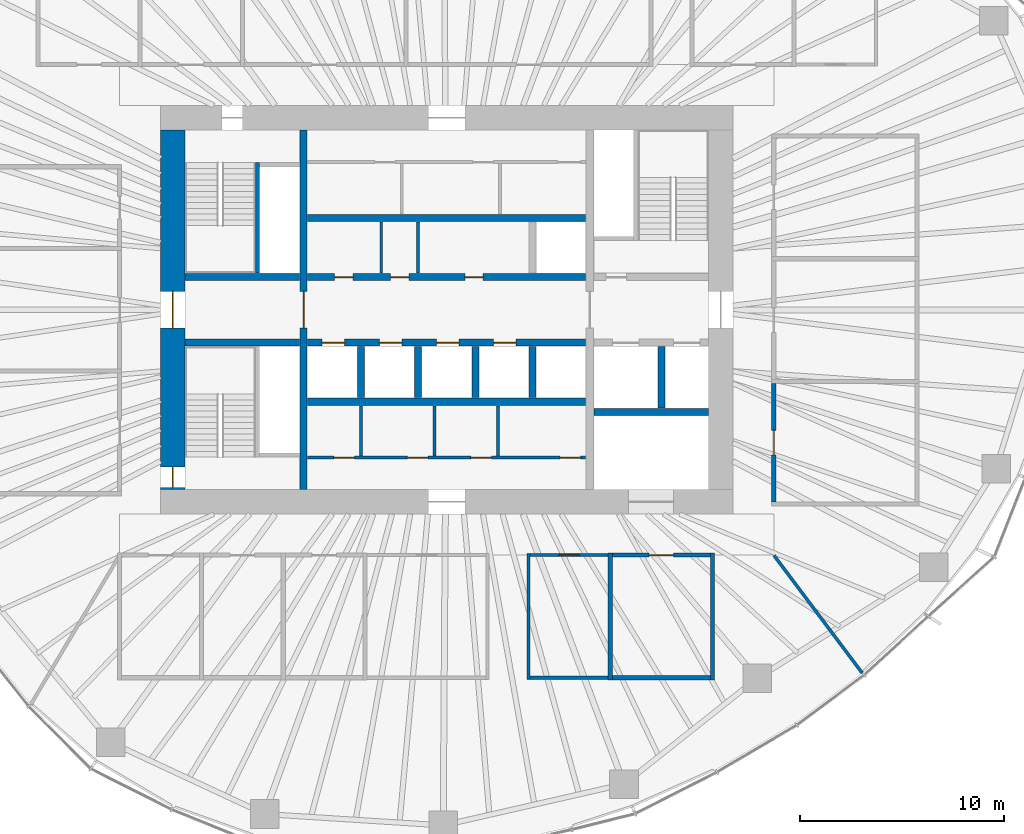
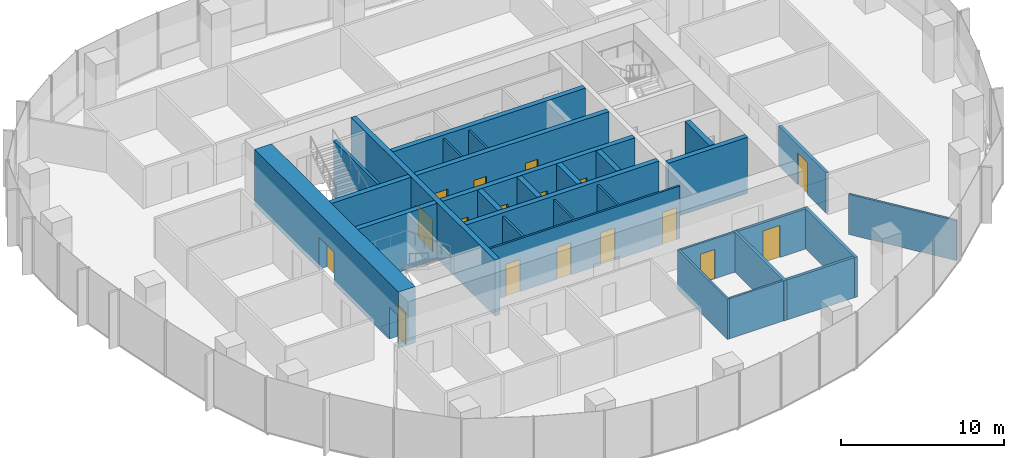
# One storey, part 9 of 18: 30 walls, 17 doors, 17 openings.
"""IFC4 building model written with IfcOpenShell, lengths in metres."""

from ifc_helpers import new_model, si_unit, direction, frame, frame_2d, origin, place, context, subcontext, project, spatial, rectangle, extrude, material, layer, layer_set, type_object, element, fill, save


model = new_model("IFC4")

# Units and contexts
model_context = context("Model", 3, precision=1e-05, world=origin(), true_north=direction((0.0, 1.0)))
body_context = subcontext(model_context, "Body", "Model", "MODEL_VIEW")
ifc_project = project(units=[si_unit("LENGTHUNIT", "METRE"), si_unit("AREAUNIT", "SQUARE_METRE"), si_unit("VOLUMEUNIT", "CUBIC_METRE"), si_unit("PLANEANGLEUNIT", "RADIAN"), si_unit("MASSUNIT", "GRAM", prefix="KILO")], contexts=[model_context])

# Site, building, storey
site_placement = place(None, origin())
site = spatial("IfcSite", under=ifc_project, at=site_placement, CompositionType="ELEMENT")
building_placement = place(site_placement, origin())
building = spatial("IfcBuilding", under=site, at=building_placement, Name="Ghaith Harvest Tower", CompositionType="ELEMENT")
storey_placement = place(building_placement, frame((0.0, 0.0, 176.39990234375)))
storey = spatial("IfcBuildingStorey", under=building, at=storey_placement, Name="L38", CompositionType="ELEMENT", Elevation=176.39990234375)

# Wall, opening, door
ifc_material_1 = material(Name="Twin-stud gypsum board, acoustic", Category="gypsum")
ifc_layer_1 = layer(ifc_material_1, 0.199951171875)
ifc_layer_set_1 = layer_set([ifc_layer_1], Name="ACOUSTIC PARTITION 200")
wall_type_1 = type_object("IfcWallType", Name="ACOUSTIC PARTITION 200", PredefinedType="PARTITIONING", material=ifc_layer_set_1)
wall_1_placement = place(storey_placement, frame((16.0, -9.39990234375, 0.0), z_axis=(0.0, 0.0, 1.0), x_axis=(0.0, 1.0, 0.0)))
wall_1 = element("IfcWall", 1, at=wall_1_placement, inside=storey, type_object=wall_type_1, Name="Partition L38-05", PredefinedType="PARTITIONING", context=body_context, shape_type="SweptSolid", body=[
    extrude(rectangle(XDim=5.7998046875, YDim=0.199951171875, at=frame_2d((2.89990234375, 0.0))), origin(), (0.0, 0.0, 1.0), 3.0),
])
opening_1_placement = place(wall_1_placement, frame((2.300048828125, 0.0, 0.0)))
opening_1 = element("IfcOpeningElement", 2, at=opening_1_placement, cuts=wall_1, Name="Opening 38-031", PredefinedType="OPENING", context=body_context, shape_type="SweptSolid", body=[
    extrude(rectangle(XDim=1.199951171875, YDim=2.39990234375, at=frame_2d((0.60009765625, 1.199951171875))), frame((0.0, 0.10986328125, 0.0), z_axis=(0.0, -1.0, 0.0), x_axis=(1.0, 0.0, 0.0)), (0.0, 0.0, 1.0), 0.219970703125),
])
ifc_material_2 = material(Name="Timber door", Category="wood")
door_type_1 = type_object("IfcDoorType", Name="D11 GLAZED 1200x2400", OperationType="SINGLE_SWING_LEFT", PredefinedType="DOOR", material=ifc_material_2)
door_1_placement = place(opening_1_placement, origin())
door_1 = element("IfcDoor", 3, at=door_1_placement, inside=storey, type_object=door_type_1, Name="Meeting room door", OperationType="SINGLE_SWING_LEFT", OverallHeight=2.39990234375, OverallWidth=1.199951171875, PredefinedType="DOOR", context=body_context, shape_type="SweptSolid", body=[
    extrude(rectangle(XDim=1.199951171875, YDim=2.39990234375, at=frame_2d((0.60009765625, 1.199951171875))), frame((0.0, 0.02490234375, 0.0), z_axis=(0.0, -1.0, 0.0), x_axis=(1.0, 0.0, 0.0)), (0.0, 0.0, 1.0), 0.050048828125),
])
fill(opening_1, door_1)

# Walls
for number, where, z_axis, x_axis, name in (
    (4, (8.0, -11.89990234375, 0.0), (0.0, 0.0, 1.0), (0.0, -1.0, 0.0), "Partition L38 row S4 cross wall 2"),
    (5, (13.0, -11.89990234375, 0.0), (0.0, 0.0, 1.0), (0.0, -1.0, 0.0), "Partition L38 row S4 cross wall 3"),
):
    element("IfcWall", number, at=place(storey_placement, frame(where, z_axis=z_axis, x_axis=x_axis)), inside=storey, type_object=wall_type_1, Name=name, PredefinedType="PARTITIONING", context=body_context, shape_type="SweptSolid", body=[
        extrude(rectangle(XDim=6.2001953125, YDim=0.199951171875, at=frame_2d((3.10009765625, 0.0))), origin(), (0.0, 0.0, 1.0), 3.0),
    ])

# Wall, opening, door
wall_2_placement = place(storey_placement, frame((8.10009765625, -12.0, 0.0), z_axis=(0.0, 0.0, 1.0), x_axis=(1.0, 0.0, 0.0)))
wall_2 = element("IfcWall", 6, at=wall_2_placement, inside=storey, type_object=wall_type_1, Name="Partition L38-13", PredefinedType="PARTITIONING", context=body_context, shape_type="SweptSolid", body=[
    extrude(rectangle(XDim=4.7998046875, YDim=0.199951171875, at=frame_2d((2.39990234375, 0.0))), origin(), (0.0, 0.0, 1.0), 3.0),
])
opening_2_placement = place(wall_2_placement, frame((1.800048828125, 0.0, 0.0)))
opening_2 = element("IfcOpeningElement", 7, at=opening_2_placement, cuts=wall_2, Name="Opening 38-039", PredefinedType="OPENING", context=body_context, shape_type="SweptSolid", body=[
    extrude(rectangle(XDim=1.199951171875, YDim=2.39990234375, at=frame_2d((0.60009765625, 1.199951171875))), frame((0.0, 0.10986328125, 0.0), z_axis=(0.0, -1.0, 0.0), x_axis=(1.0, 0.0, 0.0)), (0.0, 0.0, 1.0), 0.219970703125),
])
door_2_placement = place(opening_2_placement, origin())
door_2 = element("IfcDoor", 8, at=door_2_placement, inside=storey, type_object=door_type_1, Name="Meeting room door", OperationType="SINGLE_SWING_LEFT", OverallHeight=2.39990234375, OverallWidth=1.199951171875, PredefinedType="DOOR", context=body_context, shape_type="SweptSolid", body=[
    extrude(rectangle(XDim=1.199951171875, YDim=2.39990234375, at=frame_2d((0.60009765625, 1.199951171875))), frame((0.0, 0.02490234375, 0.0), z_axis=(0.0, -1.0, 0.0), x_axis=(1.0, 0.0, 0.0)), (0.0, 0.0, 1.0), 0.050048828125),
])
fill(opening_2, door_2)

# Wall
wall_3_placement = place(storey_placement, frame((8.10009765625, -18.0, 0.0), z_axis=(0.0, 0.0, 1.0), x_axis=(1.0, 0.0, 0.0)))
element("IfcWall", 9, at=wall_3_placement, inside=storey, type_object=wall_type_1, Name="Partition L38-13", PredefinedType="PARTITIONING", context=body_context, shape_type="SweptSolid", body=[
    extrude(rectangle(XDim=4.7998046875, YDim=0.199951171875, at=frame_2d((2.39990234375, 0.0))), origin(), (0.0, 0.0, 1.0), 3.0),
])

# Wall, openings, doors
ifc_material_3 = material(Name="Concrete blockwork, fair-faced", Category="masonry")
ifc_layer_2 = layer(ifc_material_3, 0.139892578125)
ifc_layer_set_2 = layer_set([ifc_layer_2], Name="CORE PARTITION 140")
wall_type_2 = type_object("IfcWallType", Name="CORE PARTITION 140", PredefinedType="PARTITIONING", material=ifc_layer_set_2)
wall_4_placement = place(storey_placement, frame((-6.800048828125, -7.22998046875, 0.0), z_axis=(0.0, 0.0, 1.0), x_axis=(1.0, 0.0, 0.0)))
wall_4 = element("IfcWall", 10, at=wall_4_placement, inside=storey, type_object=wall_type_2, Name="Core partition L38", PredefinedType="PARTITIONING", context=body_context, shape_type="SweptSolid", body=[
    extrude(rectangle(XDim=13.60009765625, YDim=0.139892578125, at=frame_2d((6.800048828125, 0.0))), origin(), (0.0, 0.0, 1.0), 3.9501953125),
])
opening_3_placement = place(wall_4_placement, frame((1.280029296875, 0.0, 0.0)))
opening_3 = element("IfcOpeningElement", 11, at=opening_3_placement, cuts=wall_4, Name="Opening 38-011", PredefinedType="OPENING", context=body_context, shape_type="SweptSolid", body=[
    extrude(rectangle(XDim=1.0, YDim=2.39990234375, at=frame_2d((0.5, 1.199951171875))), frame((0.0, 0.080078125, 0.0), z_axis=(0.0, -1.0, 0.0), x_axis=(1.0, 0.0, 0.0)), (0.0, 0.0, 1.0), 0.159912109375),
])
opening_4_placement = place(wall_4_placement, frame((4.8798828125, 0.0, 0.0)))
opening_4 = element("IfcOpeningElement", 12, at=opening_4_placement, cuts=wall_4, Name="Opening 38-012", PredefinedType="OPENING", context=body_context, shape_type="SweptSolid", body=[
    extrude(rectangle(XDim=1.0, YDim=2.39990234375, at=frame_2d((0.5, 1.199951171875))), frame((0.0, 0.080078125, 0.0), z_axis=(0.0, -1.0, 0.0), x_axis=(1.0, 0.0, 0.0)), (0.0, 0.0, 1.0), 0.159912109375),
])
opening_5_placement = place(wall_4_placement, frame((7.97998046875, 0.0, 0.0)))
opening_5 = element("IfcOpeningElement", 13, at=opening_5_placement, cuts=wall_4, Name="Opening 38-013", PredefinedType="OPENING", context=body_context, shape_type="SweptSolid", body=[
    extrude(rectangle(XDim=1.0, YDim=2.39990234375, at=frame_2d((0.5, 1.199951171875))), frame((0.0, 0.080078125, 0.0), z_axis=(0.0, -1.0, 0.0), x_axis=(1.0, 0.0, 0.0)), (0.0, 0.0, 1.0), 0.159912109375),
])
opening_6_placement = place(wall_4_placement, frame((12.35009765625, 0.0, 0.0)))
opening_6 = element("IfcOpeningElement", 14, at=opening_6_placement, cuts=wall_4, Name="Opening 38-014", PredefinedType="OPENING", context=body_context, shape_type="SweptSolid", body=[
    extrude(rectangle(XDim=1.0, YDim=2.39990234375, at=frame_2d((0.5, 1.199951171875))), frame((0.0, 0.080078125, 0.0), z_axis=(0.0, -1.0, 0.0), x_axis=(1.0, 0.0, 0.0)), (0.0, 0.0, 1.0), 0.159912109375),
])
ifc_material_4 = material(Name="Steel fire door", Category="steel")
door_type_2 = type_object("IfcDoorType", Name="D3 FD90 1000x2400", OperationType="SINGLE_SWING_LEFT", PredefinedType="DOOR", material=ifc_material_4)
door_3_placement = place(opening_3_placement, origin())
door_3 = element("IfcDoor", 15, at=door_3_placement, inside=storey, type_object=door_type_2, Name="Security room door", OperationType="SINGLE_SWING_LEFT", OverallHeight=2.39990234375, OverallWidth=1.0, PredefinedType="DOOR", context=body_context, shape_type="SweptSolid", body=[
    extrude(rectangle(XDim=1.0, YDim=2.39990234375, at=frame_2d((0.5, 1.199951171875))), frame((0.0, 0.02490234375, 0.0), z_axis=(0.0, -1.0, 0.0), x_axis=(1.0, 0.0, 0.0)), (0.0, 0.0, 1.0), 0.050048828125),
])
fill(opening_3, door_3)
door_4_placement = place(opening_4_placement, origin())
door_4 = element("IfcDoor", 16, at=door_4_placement, inside=storey, type_object=door_type_2, Name="Electrical room door", OperationType="SINGLE_SWING_LEFT", OverallHeight=2.39990234375, OverallWidth=1.0, PredefinedType="DOOR", context=body_context, shape_type="SweptSolid", body=[
    extrude(rectangle(XDim=1.0, YDim=2.39990234375, at=frame_2d((0.5, 1.199951171875))), frame((0.0, 0.02490234375, 0.0), z_axis=(0.0, -1.0, 0.0), x_axis=(1.0, 0.0, 0.0)), (0.0, 0.0, 1.0), 0.050048828125),
])
fill(opening_4, door_4)
door_5_placement = place(opening_5_placement, origin())
door_5 = element("IfcDoor", 17, at=door_5_placement, inside=storey, type_object=door_type_2, Name="Communications equipment room door", OperationType="SINGLE_SWING_RIGHT", OverallHeight=2.39990234375, OverallWidth=1.0, PredefinedType="DOOR", context=body_context, shape_type="SweptSolid", body=[
    extrude(rectangle(XDim=1.0, YDim=2.39990234375, at=frame_2d((0.5, 1.199951171875))), frame((0.0, 0.02490234375, 0.0), z_axis=(0.0, -1.0, 0.0), x_axis=(1.0, 0.0, 0.0)), (0.0, 0.0, 1.0), 0.050048828125),
])
fill(opening_5, door_5)
door_6_placement = place(opening_6_placement, origin())
door_6 = element("IfcDoor", 18, at=door_6_placement, inside=storey, type_object=door_type_2, Name="Riser room door", OperationType="SINGLE_SWING_RIGHT", OverallHeight=2.39990234375, OverallWidth=1.0, PredefinedType="DOOR", context=body_context, shape_type="SweptSolid", body=[
    extrude(rectangle(XDim=1.0, YDim=2.39990234375, at=frame_2d((0.5, 1.199951171875))), frame((0.0, 0.02490234375, 0.0), z_axis=(0.0, -1.0, 0.0), x_axis=(1.0, 0.0, 0.0)), (0.0, 0.0, 1.0), 0.050048828125),
])
fill(opening_6, door_6)

# Walls
for number, where, z_axis, x_axis, name in (
    (19, (-4.199951171875, -4.699951171875, 0.0), (0.0, 0.0, 1.0), (0.0, -1.0, 0.0), "Core partition L38"),
    (20, (-0.60009765625, -4.699951171875, 0.0), (0.0, 0.0, 1.0), (0.0, -1.0, 0.0), "Core partition L38"),
    (21, (2.5, -4.699951171875, 0.0), (0.0, 0.0, 1.0), (0.0, -1.0, 0.0), "Core partition L38"),
):
    element("IfcWall", number, at=place(storey_placement, frame(where, z_axis=z_axis, x_axis=x_axis)), inside=storey, type_object=wall_type_2, Name=name, PredefinedType="PARTITIONING", context=body_context, shape_type="SweptSolid", body=[
        extrude(rectangle(XDim=2.4599609375, YDim=0.139892578125, at=frame_2d((1.22998046875, 0.0))), origin(), (0.0, 0.0, 1.0), 3.9501953125),
    ])
for number, where, z_axis, x_axis, name in (
    (22, (-3.199951171875, 1.800048828125, 0.0), (0.0, 0.0, 1.0), (0.0, 1.0, 0.0), "Core partition L38"),
    (23, (-1.39990234375, 1.800048828125, 0.0), (0.0, 0.0, 1.0), (0.0, 1.0, 0.0), "Core partition L38"),
):
    element("IfcWall", number, at=place(storey_placement, frame(where, z_axis=z_axis, x_axis=x_axis)), inside=storey, type_object=wall_type_2, Name=name, PredefinedType="PARTITIONING", context=body_context, shape_type="SweptSolid", body=[
        extrude(rectangle(XDim=2.5, YDim=0.139892578125, at=frame_2d((1.25, 0.0))), origin(), (0.0, 0.0, 1.0), 3.9501953125),
    ])

# Wall, openings, doors
ifc_material_5 = material(Name="Concrete C60/75", Category="concrete")
ifc_layer_3 = layer(ifc_material_5, 1.199951171875)
ifc_layer_set_3 = layer_set([ifc_layer_3], Name="CORE WALL CW1200 C60")
wall_type_3 = type_object("IfcWallType", Name="CORE WALL CW1200 C60", PredefinedType="SHEAR", material=ifc_layer_set_3)
wall_5_placement = place(storey_placement, frame((-13.39990234375, 8.800048828125, 0.0), z_axis=(0.0, 0.0, 1.0), x_axis=(0.0, -1.0, 0.0)))
wall_5 = element("IfcWall", 24, at=wall_5_placement, inside=storey, type_object=wall_type_3, Name="Core wall W L38", PredefinedType="SHEAR", context=body_context, shape_type="SweptSolid", body=[
    extrude(rectangle(XDim=17.60009765625, YDim=1.199951171875, at=frame_2d((8.800048828125, 0.0))), origin(), (0.0, 0.0, 1.0), 4.2001953125),
])
opening_7_placement = place(wall_5_placement, frame((7.89990234375, 0.0, 0.0)))
opening_7 = element("IfcOpeningElement", 25, at=opening_7_placement, cuts=wall_5, Name="Opening 38-001", PredefinedType="OPENING", context=body_context, shape_type="SweptSolid", body=[
    extrude(rectangle(XDim=1.800048828125, YDim=2.39990234375, at=frame_2d((0.89990234375, 1.199951171875))), frame((0.0, 0.60986328125, 0.0), z_axis=(0.0, -1.0, 0.0), x_axis=(1.0, 0.0, 0.0)), (0.0, 0.0, 1.0), 1.219970703125),
])
opening_8_placement = place(wall_5_placement, frame((16.5, 0.0, 0.0)))
opening_8 = element("IfcOpeningElement", 26, at=opening_8_placement, cuts=wall_5, Name="Opening 38-006", PredefinedType="OPENING", context=body_context, shape_type="SweptSolid", body=[
    extrude(rectangle(XDim=1.0, YDim=2.39990234375, at=frame_2d((0.5, 1.199951171875))), frame((0.0, 0.60986328125, 0.0), z_axis=(0.0, -1.0, 0.0), x_axis=(1.0, 0.0, 0.0)), (0.0, 0.0, 1.0), 1.219970703125),
])
door_7_placement = place(opening_8_placement, origin())
door_7 = element("IfcDoor", 27, at=door_7_placement, inside=storey, type_object=door_type_2, Name="Stair ST3 door", OperationType="SINGLE_SWING_RIGHT", OverallHeight=2.39990234375, OverallWidth=1.0, PredefinedType="DOOR", context=body_context, shape_type="SweptSolid", body=[
    extrude(rectangle(XDim=1.0, YDim=2.39990234375, at=frame_2d((0.5, 1.199951171875))), frame((0.0, 0.02490234375, 0.0), z_axis=(0.0, -1.0, 0.0), x_axis=(1.0, 0.0, 0.0)), (0.0, 0.0, 1.0), 0.050048828125),
])
fill(opening_8, door_7)
ifc_material_6 = material(Name="Steel fire door", Category="steel")
door_type_3 = type_object("IfcDoorType", Name="D4 FD90 PAIR 1800x2400", OperationType="DOUBLE_DOOR_SINGLE_SWING", PredefinedType="DOOR", material=ifc_material_6)
door_8_placement = place(opening_7_placement, origin())
door_8 = element("IfcDoor", 28, at=door_8_placement, inside=storey, type_object=door_type_3, Name="West lobby doors", OperationType="DOUBLE_DOOR_SINGLE_SWING", OverallHeight=2.39990234375, OverallWidth=1.800048828125, PredefinedType="DOOR", context=body_context, shape_type="SweptSolid", body=[
    extrude(rectangle(XDim=1.800048828125, YDim=2.39990234375, at=frame_2d((0.89990234375, 1.199951171875))), frame((0.0, 0.02490234375, 0.0), z_axis=(0.0, -1.0, 0.0), x_axis=(1.0, 0.0, 0.0)), (0.0, 0.0, 1.0), 0.050048828125),
])
fill(opening_7, door_8)

# Wall
ifc_material_7 = material(Name="Gypsum board on steel studs", Category="steel")
ifc_layer_4 = layer(ifc_material_7, 0.14990234375)
ifc_layer_set_4 = layer_set([ifc_layer_4], Name="PARTITION 150")
wall_type_4 = type_object("IfcWallType", Name="PARTITION 150", PredefinedType="PARTITIONING", material=ifc_layer_set_4)
wall_6_placement = place(storey_placement, frame((4.0, -11.925048828125, 0.0), z_axis=(0.0, 0.0, 1.0), x_axis=(0.0, -1.0, 0.0)))
element("IfcWall", 29, at=wall_6_placement, inside=storey, type_object=wall_type_4, Name="Partition L38 row S4 cross wall 1", PredefinedType="PARTITIONING", context=body_context, shape_type="SweptSolid", body=[
    extrude(rectangle(XDim=6.14990234375, YDim=0.14990234375, at=frame_2d((3.074951171875, 0.0))), origin(), (0.0, 0.0, 1.0), 3.0),
])

# Wall, opening, door
wall_7_placement = place(storey_placement, frame((4.074951171875, -12.0, 0.0), z_axis=(0.0, 0.0, 1.0), x_axis=(1.0, 0.0, 0.0)))
wall_7 = element("IfcWall", 30, at=wall_7_placement, inside=storey, type_object=wall_type_4, Name="Partition L38-12", PredefinedType="PARTITIONING", context=body_context, shape_type="SweptSolid", body=[
    extrude(rectangle(XDim=3.824951171875, YDim=0.14990234375, at=frame_2d((1.91259765625, 0.0))), origin(), (0.0, 0.0, 1.0), 3.0),
])
opening_9_placement = place(wall_7_placement, frame((1.41259765625, 0.0, 0.0)))
opening_9 = element("IfcOpeningElement", 31, at=opening_9_placement, cuts=wall_7, Name="Opening 38-038", PredefinedType="OPENING", context=body_context, shape_type="SweptSolid", body=[
    extrude(rectangle(XDim=1.0, YDim=2.199951171875, at=frame_2d((0.5, 1.10009765625))), frame((0.0, 0.0849609375, 0.0), z_axis=(0.0, -1.0, 0.0), x_axis=(1.0, 0.0, 0.0)), (0.0, 0.0, 1.0), 0.169921875),
])
ifc_material_8 = material(Name="Timber door", Category="wood")
door_type_4 = type_object("IfcDoorType", Name="D1 SINGLE 1000x2200", OperationType="SINGLE_SWING_LEFT", PredefinedType="DOOR", material=ifc_material_8)
door_9_placement = place(opening_9_placement, origin())
door_9 = element("IfcDoor", 32, at=door_9_placement, inside=storey, type_object=door_type_4, Name="Store door", OperationType="SINGLE_SWING_LEFT", OverallHeight=2.199951171875, OverallWidth=1.0, PredefinedType="DOOR", context=body_context, shape_type="SweptSolid", body=[
    extrude(rectangle(XDim=1.0, YDim=2.199951171875, at=frame_2d((0.5, 1.10009765625))), frame((0.0, 0.02490234375, 0.0), z_axis=(0.0, -1.0, 0.0), x_axis=(1.0, 0.0, 0.0)), (0.0, 0.0, 1.0), 0.050048828125),
])
fill(opening_9, door_9)

# Walls
wall_8_placement = place(storey_placement, frame((4.074951171875, -18.0, 0.0), z_axis=(0.0, 0.0, 1.0), x_axis=(1.0, 0.0, 0.0)))
element("IfcWall", 33, at=wall_8_placement, inside=storey, type_object=wall_type_4, Name="Partition L38-12", PredefinedType="PARTITIONING", context=body_context, shape_type="SweptSolid", body=[
    extrude(rectangle(XDim=3.824951171875, YDim=0.14990234375, at=frame_2d((1.91259765625, 0.0))), origin(), (0.0, 0.0, 1.0), 3.0),
])
wall_9_placement = place(storey_placement, frame((16.011962890625, -12.01611328125, 0.0), z_axis=(0.0, 0.0, 1.0), x_axis=(0.600059749679, -0.799955184254, 0.0)))
element("IfcWall", 34, at=wall_9_placement, inside=storey, type_object=wall_type_4, Name="Partition L38 zone division", PredefinedType="PARTITIONING", context=body_context, shape_type="SweptSolid", body=[
    extrude(rectangle(XDim=7.191162109375, YDim=0.14990234375, at=frame_2d((3.595703125, 0.0))), origin(), (0.0, 0.0, 1.0), 3.0),
])

# Wall, opening, door
ifc_material_9 = material(Name="Concrete C60/75", Category="concrete")
ifc_layer_5 = layer(ifc_material_9, 0.35009765625)
ifc_layer_set_5 = layer_set([ifc_layer_5], Name="SHAFT WALL 350")
wall_type_5 = type_object("IfcWallType", Name="SHAFT WALL 350", PredefinedType="SHEAR", material=ifc_layer_set_5)
wall_10_placement = place(storey_placement, frame((-7.0, -8.800048828125, 0.0), z_axis=(0.0, 0.0, 1.0), x_axis=(0.0, 1.0, 0.0)))
wall_10 = element("IfcWall", 35, at=wall_10_placement, inside=storey, type_object=wall_type_5, Name="Shaft wall W7W L38", PredefinedType="SHEAR", context=body_context, shape_type="SweptSolid", body=[
    extrude(rectangle(XDim=17.60009765625, YDim=0.35009765625, at=frame_2d((8.800048828125, 0.0))), origin(), (0.0, 0.0, 1.0), 4.2001953125),
])
opening_10_placement = place(wall_10_placement, frame((7.89990234375, 0.0, 0.0)))
opening_10 = element("IfcOpeningElement", 36, at=opening_10_placement, cuts=wall_10, Name="Opening 38-003", PredefinedType="OPENING", context=body_context, shape_type="SweptSolid", body=[
    extrude(rectangle(XDim=1.800048828125, YDim=2.39990234375, at=frame_2d((0.89990234375, 1.199951171875))), frame((0.0, 0.18505859375, 0.0), z_axis=(0.0, -1.0, 0.0), x_axis=(1.0, 0.0, 0.0)), (0.0, 0.0, 1.0), 0.3701171875),
])
door_10_placement = place(opening_10_placement, origin())
door_10 = element("IfcDoor", 37, at=door_10_placement, inside=storey, type_object=door_type_3, Name="Lift lobby doors, west", OperationType="DOUBLE_DOOR_SINGLE_SWING", OverallHeight=2.39990234375, OverallWidth=1.800048828125, PredefinedType="DOOR", context=body_context, shape_type="SweptSolid", body=[
    extrude(rectangle(XDim=1.800048828125, YDim=2.39990234375, at=frame_2d((0.89990234375, 1.199951171875))), frame((0.0, 0.02490234375, 0.0), z_axis=(0.0, -1.0, 0.0), x_axis=(1.0, 0.0, 0.0)), (0.0, 0.0, 1.0), 0.050048828125),
])
fill(opening_10, door_10)

# Wall, openings, doors
wall_11_placement = place(storey_placement, frame((-6.800048828125, 1.60009765625, 0.0), z_axis=(0.0, 0.0, 1.0), x_axis=(1.0, 0.0, 0.0)))
wall_11 = element("IfcWall", 38, at=wall_11_placement, inside=storey, type_object=wall_type_5, Name="Shaft wall LN L38", PredefinedType="SHEAR", context=body_context, shape_type="SweptSolid", body=[
    extrude(rectangle(XDim=13.60009765625, YDim=0.35009765625, at=frame_2d((6.800048828125, 0.0))), origin(), (0.0, 0.0, 1.0), 4.2001953125),
])
opening_11_placement = place(wall_11_placement, frame((1.31494140625, 0.0, 0.0)))
opening_11 = element("IfcOpeningElement", 39, at=opening_11_placement, cuts=wall_11, Name="Opening 38-015", PredefinedType="OPENING", context=body_context, shape_type="SweptSolid", body=[
    extrude(rectangle(XDim=0.89990234375, YDim=2.39990234375, at=frame_2d((0.449951171875, 1.199951171875))), frame((0.0, 0.18505859375, 0.0), z_axis=(0.0, -1.0, 0.0), x_axis=(1.0, 0.0, 0.0)), (0.0, 0.0, 1.0), 0.3701171875),
])
opening_12_placement = place(wall_11_placement, frame((4.050048828125, 0.0, 0.0)))
opening_12 = element("IfcOpeningElement", 40, at=opening_12_placement, cuts=wall_11, Name="Opening 38-016", PredefinedType="OPENING", context=body_context, shape_type="SweptSolid", body=[
    extrude(rectangle(XDim=0.89990234375, YDim=2.39990234375, at=frame_2d((0.449951171875, 1.199951171875))), frame((0.0, 0.18505859375, 0.0), z_axis=(0.0, -1.0, 0.0), x_axis=(1.0, 0.0, 0.0)), (0.0, 0.0, 1.0), 0.3701171875),
])
opening_13_placement = place(wall_11_placement, frame((7.68505859375, 0.0, 0.0)))
opening_13 = element("IfcOpeningElement", 41, at=opening_13_placement, cuts=wall_11, Name="Opening 38-017", PredefinedType="OPENING", context=body_context, shape_type="SweptSolid", body=[
    extrude(rectangle(XDim=0.89990234375, YDim=2.39990234375, at=frame_2d((0.449951171875, 1.199951171875))), frame((0.0, 0.18505859375, 0.0), z_axis=(0.0, -1.0, 0.0), x_axis=(1.0, 0.0, 0.0)), (0.0, 0.0, 1.0), 0.3701171875),
])
ifc_material_10 = material(Name="Steel fire door", Category="steel")
door_type_5 = type_object("IfcDoorType", Name="D5 FD90 900x2400", OperationType="SINGLE_SWING_LEFT", PredefinedType="DOOR", material=ifc_material_10)
door_11_placement = place(opening_11_placement, origin())
door_11 = element("IfcDoor", 42, at=door_11_placement, inside=storey, type_object=door_type_5, Name="Lobby store door", OperationType="SINGLE_SWING_LEFT", OverallHeight=2.39990234375, OverallWidth=0.89990234375, PredefinedType="DOOR", context=body_context, shape_type="SweptSolid", body=[
    extrude(rectangle(XDim=0.89990234375, YDim=2.39990234375, at=frame_2d((0.449951171875, 1.199951171875))), frame((0.0, 0.02490234375, 0.0), z_axis=(0.0, -1.0, 0.0), x_axis=(1.0, 0.0, 0.0)), (0.0, 0.0, 1.0), 0.050048828125),
])
fill(opening_11, door_11)
door_12_placement = place(opening_12_placement, origin())
door_12 = element("IfcDoor", 43, at=door_12_placement, inside=storey, type_object=door_type_5, Name="Lobby store door", OperationType="SINGLE_SWING_LEFT", OverallHeight=2.39990234375, OverallWidth=0.89990234375, PredefinedType="DOOR", context=body_context, shape_type="SweptSolid", body=[
    extrude(rectangle(XDim=0.89990234375, YDim=2.39990234375, at=frame_2d((0.449951171875, 1.199951171875))), frame((0.0, 0.02490234375, 0.0), z_axis=(0.0, -1.0, 0.0), x_axis=(1.0, 0.0, 0.0)), (0.0, 0.0, 1.0), 0.050048828125),
])
fill(opening_12, door_12)
door_13_placement = place(opening_13_placement, origin())
door_13 = element("IfcDoor", 44, at=door_13_placement, inside=storey, type_object=door_type_5, Name="Lobby store door", OperationType="SINGLE_SWING_RIGHT", OverallHeight=2.39990234375, OverallWidth=0.89990234375, PredefinedType="DOOR", context=body_context, shape_type="SweptSolid", body=[
    extrude(rectangle(XDim=0.89990234375, YDim=2.39990234375, at=frame_2d((0.449951171875, 1.199951171875))), frame((0.0, 0.02490234375, 0.0), z_axis=(0.0, -1.0, 0.0), x_axis=(1.0, 0.0, 0.0)), (0.0, 0.0, 1.0), 0.050048828125),
])
fill(opening_13, door_13)

wall_12_placement = place(storey_placement, frame((-6.800048828125, -1.60009765625, 0.0), z_axis=(0.0, 0.0, 1.0), x_axis=(1.0, 0.0, 0.0)))
wall_12 = element("IfcWall", 45, at=wall_12_placement, inside=storey, type_object=wall_type_5, Name="Shaft wall LS L38", PredefinedType="SHEAR", context=body_context, shape_type="SweptSolid", body=[
    extrude(rectangle(XDim=13.60009765625, YDim=0.35009765625, at=frame_2d((6.800048828125, 0.0))), origin(), (0.0, 0.0, 1.0), 4.2001953125),
])
opening_14_placement = place(wall_12_placement, frame((0.699951171875, 0.0, 0.0)))
opening_14 = element("IfcOpeningElement", 46, at=opening_14_placement, cuts=wall_12, Name="Opening 38-020", PredefinedType="OPENING", context=body_context, shape_type="SweptSolid", body=[
    extrude(rectangle(XDim=1.10009765625, YDim=2.39990234375, at=frame_2d((0.550048828125, 1.199951171875))), frame((0.0, 0.18505859375, 0.0), z_axis=(0.0, -1.0, 0.0), x_axis=(1.0, 0.0, 0.0)), (0.0, 0.0, 1.0), 0.3701171875),
])
opening_15_placement = place(wall_12_placement, frame((3.5, 0.0, 0.0)))
opening_15 = element("IfcOpeningElement", 47, at=opening_15_placement, cuts=wall_12, Name="Opening 38-021", PredefinedType="OPENING", context=body_context, shape_type="SweptSolid", body=[
    extrude(rectangle(XDim=1.10009765625, YDim=2.39990234375, at=frame_2d((0.550048828125, 1.199951171875))), frame((0.0, 0.18505859375, 0.0), z_axis=(0.0, -1.0, 0.0), x_axis=(1.0, 0.0, 0.0)), (0.0, 0.0, 1.0), 0.3701171875),
])
opening_16_placement = place(wall_12_placement, frame((6.300048828125, 0.0, 0.0)))
opening_16 = element("IfcOpeningElement", 48, at=opening_16_placement, cuts=wall_12, Name="Opening 38-022", PredefinedType="OPENING", context=body_context, shape_type="SweptSolid", body=[
    extrude(rectangle(XDim=1.10009765625, YDim=2.39990234375, at=frame_2d((0.550048828125, 1.199951171875))), frame((0.0, 0.18505859375, 0.0), z_axis=(0.0, -1.0, 0.0), x_axis=(1.0, 0.0, 0.0)), (0.0, 0.0, 1.0), 0.3701171875),
])
opening_17_placement = place(wall_12_placement, frame((9.10009765625, 0.0, 0.0)))
opening_17 = element("IfcOpeningElement", 49, at=opening_17_placement, cuts=wall_12, Name="Opening 38-023", PredefinedType="OPENING", context=body_context, shape_type="SweptSolid", body=[
    extrude(rectangle(XDim=1.10009765625, YDim=2.39990234375, at=frame_2d((0.550048828125, 1.199951171875))), frame((0.0, 0.18505859375, 0.0), z_axis=(0.0, -1.0, 0.0), x_axis=(1.0, 0.0, 0.0)), (0.0, 0.0, 1.0), 0.3701171875),
])
ifc_material_11 = material(Name="Steel fire door", Category="steel")
door_type_6 = type_object("IfcDoorType", Name="LD1 LANDING 1100x2400", OperationType="DOUBLE_DOOR_SLIDING", PredefinedType="DOOR", material=ifc_material_11)
door_14_placement = place(opening_14_placement, origin())
door_14 = element("IfcDoor", 50, at=door_14_placement, inside=storey, type_object=door_type_6, Name="Landing door, lift LR1", OperationType="DOUBLE_DOOR_SLIDING", OverallHeight=2.39990234375, OverallWidth=1.10009765625, PredefinedType="DOOR", context=body_context, shape_type="SweptSolid", body=[
    extrude(rectangle(XDim=1.10009765625, YDim=2.39990234375, at=frame_2d((0.550048828125, 1.199951171875))), frame((0.0, 0.02490234375, 0.0), z_axis=(0.0, -1.0, 0.0), x_axis=(1.0, 0.0, 0.0)), (0.0, 0.0, 1.0), 0.050048828125),
])
fill(opening_14, door_14)
door_15_placement = place(opening_15_placement, origin())
door_15 = element("IfcDoor", 51, at=door_15_placement, inside=storey, type_object=door_type_6, Name="Landing door, lift LR2", OperationType="DOUBLE_DOOR_SLIDING", OverallHeight=2.39990234375, OverallWidth=1.10009765625, PredefinedType="DOOR", context=body_context, shape_type="SweptSolid", body=[
    extrude(rectangle(XDim=1.10009765625, YDim=2.39990234375, at=frame_2d((0.550048828125, 1.199951171875))), frame((0.0, 0.02490234375, 0.0), z_axis=(0.0, -1.0, 0.0), x_axis=(1.0, 0.0, 0.0)), (0.0, 0.0, 1.0), 0.050048828125),
])
fill(opening_15, door_15)
door_16_placement = place(opening_16_placement, origin())
door_16 = element("IfcDoor", 52, at=door_16_placement, inside=storey, type_object=door_type_6, Name="Landing door, lift LR3", OperationType="DOUBLE_DOOR_SLIDING", OverallHeight=2.39990234375, OverallWidth=1.10009765625, PredefinedType="DOOR", context=body_context, shape_type="SweptSolid", body=[
    extrude(rectangle(XDim=1.10009765625, YDim=2.39990234375, at=frame_2d((0.550048828125, 1.199951171875))), frame((0.0, 0.02490234375, 0.0), z_axis=(0.0, -1.0, 0.0), x_axis=(1.0, 0.0, 0.0)), (0.0, 0.0, 1.0), 0.050048828125),
])
fill(opening_16, door_16)
door_17_placement = place(opening_17_placement, origin())
door_17 = element("IfcDoor", 53, at=door_17_placement, inside=storey, type_object=door_type_6, Name="Landing door, lift LR4", OperationType="DOUBLE_DOOR_SLIDING", OverallHeight=2.39990234375, OverallWidth=1.10009765625, PredefinedType="DOOR", context=body_context, shape_type="SweptSolid", body=[
    extrude(rectangle(XDim=1.10009765625, YDim=2.39990234375, at=frame_2d((0.550048828125, 1.199951171875))), frame((0.0, 0.02490234375, 0.0), z_axis=(0.0, -1.0, 0.0), x_axis=(1.0, 0.0, 0.0)), (0.0, 0.0, 1.0), 0.050048828125),
])
fill(opening_17, door_17)

# Walls
for number, where, z_axis, x_axis, name in (
    (54, (-6.800048828125, 4.5, 0.0), (0.0, 0.0, 1.0), (1.0, 0.0, 0.0), "Shaft wall BN L38"),
    (55, (-6.800048828125, -4.5, 0.0), (0.0, 0.0, 1.0), (1.0, 0.0, 0.0), "Shaft wall BS L38"),
):
    element("IfcWall", number, at=place(storey_placement, frame(where, z_axis=z_axis, x_axis=x_axis)), inside=storey, type_object=wall_type_5, Name=name, PredefinedType="SHEAR", context=body_context, shape_type="SweptSolid", body=[
        extrude(rectangle(XDim=13.60009765625, YDim=0.35009765625, at=frame_2d((6.800048828125, 0.0))), origin(), (0.0, 0.0, 1.0), 4.2001953125),
    ])
for number, where, z_axis, x_axis, name in (
    (56, (-12.800048828125, 1.60009765625, 0.0), (0.0, 0.0, 1.0), (1.0, 0.0, 0.0), "Shaft wall WN L38"),
    (57, (-12.800048828125, -1.60009765625, 0.0), (0.0, 0.0, 1.0), (1.0, 0.0, 0.0), "Shaft wall WS L38"),
):
    element("IfcWall", number, at=place(storey_placement, frame(where, z_axis=z_axis, x_axis=x_axis)), inside=storey, type_object=wall_type_5, Name=name, PredefinedType="SHEAR", context=body_context, shape_type="SweptSolid", body=[
        extrude(rectangle(XDim=5.60009765625, YDim=0.35009765625, at=frame_2d((2.800048828125, 0.0))), origin(), (0.0, 0.0, 1.0), 4.2001953125),
    ])
wall_13_placement = place(storey_placement, frame((10.5, -4.800048828125, 0.0), z_axis=(0.0, 0.0, 1.0), x_axis=(0.0, 1.0, 0.0)))
element("IfcWall", 58, at=wall_13_placement, inside=storey, type_object=wall_type_5, Name="Shaft wall FLD L38", PredefinedType="SHEAR", context=body_context, shape_type="SweptSolid", body=[
    extrude(rectangle(XDim=3.0, YDim=0.35009765625, at=frame_2d((1.5, 0.0))), origin(), (0.0, 0.0, 1.0), 4.2001953125),
])
wall_14_placement = place(storey_placement, frame((7.199951171875, -5.0, 0.0), z_axis=(0.0, 0.0, 1.0), x_axis=(1.0, 0.0, 0.0)))
element("IfcWall", 59, at=wall_14_placement, inside=storey, type_object=wall_type_5, Name="Shaft wall FLB L38", PredefinedType="SHEAR", context=body_context, shape_type="SweptSolid", body=[
    extrude(rectangle(XDim=5.60009765625, YDim=0.35009765625, at=frame_2d((2.800048828125, 0.0))), origin(), (0.0, 0.0, 1.0), 4.2001953125),
])
for number, where, z_axis, x_axis, name in (
    (60, (-4.199951171875, -4.300048828125, 0.0), (0.0, 0.0, 1.0), (0.0, 1.0, 0.0), "Shaft wall DS1 L38"),
    (61, (-1.39990234375, -4.300048828125, 0.0), (0.0, 0.0, 1.0), (0.0, 1.0, 0.0), "Shaft wall DS2 L38"),
    (62, (1.39990234375, -4.300048828125, 0.0), (0.0, 0.0, 1.0), (0.0, 1.0, 0.0), "Shaft wall DS3 L38"),
    (63, (4.199951171875, -4.300048828125, 0.0), (0.0, 0.0, 1.0), (0.0, 1.0, 0.0), "Shaft wall DS4 L38"),
):
    element("IfcWall", number, at=place(storey_placement, frame(where, z_axis=z_axis, x_axis=x_axis)), inside=storey, type_object=wall_type_5, Name=name, PredefinedType="SHEAR", context=body_context, shape_type="SweptSolid", body=[
        extrude(rectangle(XDim=2.5, YDim=0.35009765625, at=frame_2d((1.25, 0.0))), origin(), (0.0, 0.0, 1.0), 4.2001953125),
    ])
ifc_material_12 = material(Name="Concrete C40/50", Category="concrete")
ifc_layer_6 = layer(ifc_material_12, 0.199951171875)
ifc_layer_set_6 = layer_set([ifc_layer_6], Name="STAIR SPINE WALL RC200")
wall_type_6 = type_object("IfcWallType", Name="STAIR SPINE WALL RC200", PredefinedType="SOLIDWALL", material=ifc_layer_set_6)
wall_15_placement = place(storey_placement, frame((-9.25, 7.199951171875, 0.0), z_axis=(0.0, 0.0, 1.0), x_axis=(0.0, -1.0, 0.0)))
element("IfcWall", 64, at=wall_15_placement, inside=storey, type_object=wall_type_6, Name="Stair ST1 spine wall L38", PredefinedType="SOLIDWALL", context=body_context, shape_type="SweptSolid", body=[
    extrude(rectangle(XDim=5.39990234375, YDim=0.199951171875, at=frame_2d((2.699951171875, 0.0))), origin(), (0.0, 0.0, 1.0), 4.2001953125),
])

save(model, "model.ifc")
